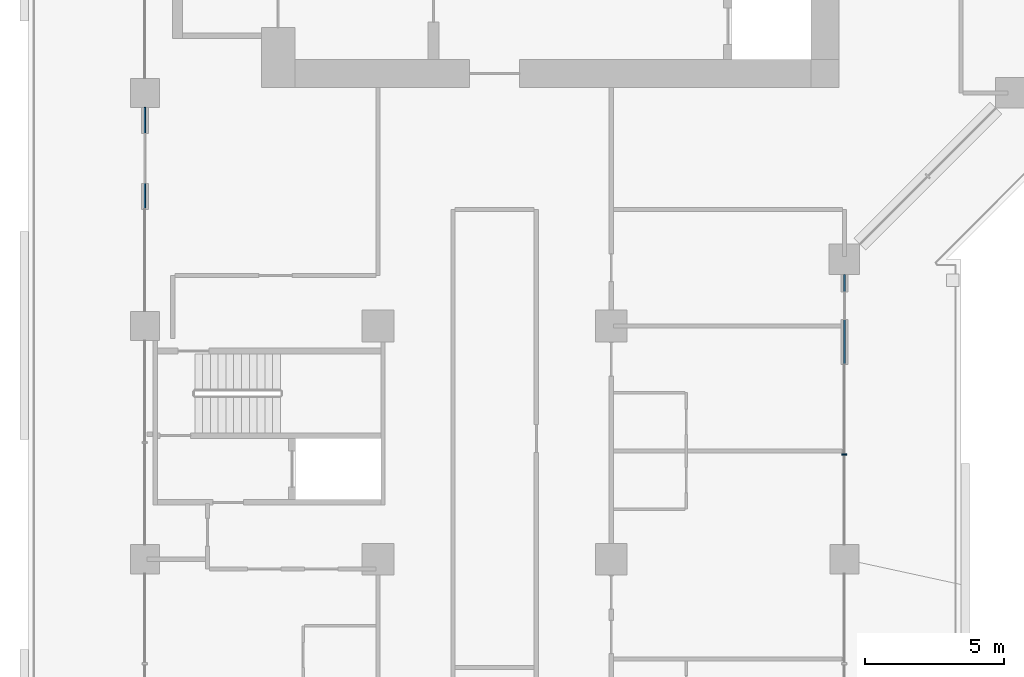
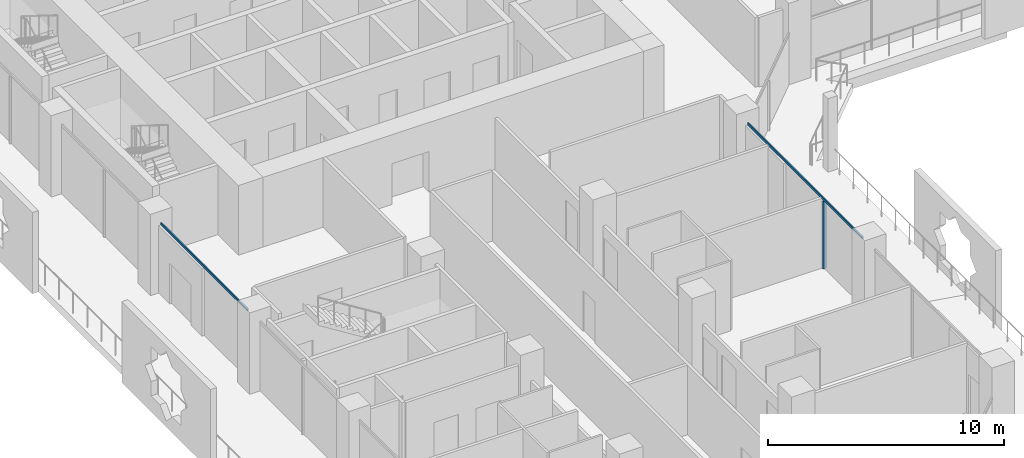
# One storey, part 3 of 25: 3 members, 2 elements without a shape of their own.
"""IFC4 building model written with IfcOpenShell, lengths in metres."""

from ifc_helpers import new_model, si_unit, direction, frame, origin, origin_2d, place, context, subcontext, project, spatial, rectangle, extrude, material, layer, layer_set, material_profile, profile_set, type_object, element, aggregate, save


model = new_model("IFC4")

# Units and contexts
model_context = context("Model", 3, precision=1e-05, world=origin(), true_north=direction((0.0, 1.0)))
body_context = subcontext(model_context, "Body", "Model", "MODEL_VIEW")
ifc_project = project(units=[si_unit("LENGTHUNIT", "METRE"), si_unit("AREAUNIT", "SQUARE_METRE"), si_unit("VOLUMEUNIT", "CUBIC_METRE"), si_unit("PLANEANGLEUNIT", "RADIAN"), si_unit("MASSUNIT", "GRAM", prefix="KILO")], contexts=[model_context])

# Site, building, storey
site_placement = place(None, origin())
site = spatial("IfcSite", under=ifc_project, at=site_placement, CompositionType="ELEMENT")
building_placement = place(site_placement, origin())
building = spatial("IfcBuilding", under=site, at=building_placement, Name="Kawkab Arch Medical Tower", CompositionType="ELEMENT")
storey_placement = place(building_placement, frame((0.0, 0.0, 111.39990234375)))
storey = spatial("IfcBuildingStorey", under=building, at=storey_placement, Name="L25", CompositionType="ELEMENT", Elevation=111.39990234375)

# Curtain wall, member
ifc_material_1 = material(Name="Bronze anodised aluminium curtain wall frame", Category="aluminium")
ifc_layer = layer(ifc_material_1, 0.159912109375)
ifc_layer_set = layer_set([ifc_layer], Name="Bronze anodised aluminium curtain wall frame")
curtain_wall_type = type_object("IfcCurtainWallType", Name="CW1 ward curtain wall", PredefinedType="NOTDEFINED", material=ifc_layer_set)
placement = place(storey_placement, origin())
curtain_wall_1 = element("IfcCurtainWall", 1, at=placement, inside=storey, type_object=curtain_wall_type, Name="CW1 Ward curtain wall R05", PredefinedType="NOTDEFINED")
ifc_material_2 = material(Name="Bronze anodised aluminium curtain wall frame", Category="aluminium")
ifc_material_profile_1 = material_profile(ifc_material_2, rectangle(XDim=0.179931640625, YDim=0.06005859375, at=origin_2d()), Name="AL 60x180")
ifc_profile_set_1 = profile_set([ifc_material_profile_1], Name="Bronze anodised aluminium curtain wall frame")
member_type_1 = type_object("IfcMemberType", Name="CW1 mullion 60 x 180", PredefinedType="MULLION", material=ifc_profile_set_1)
member_1_placement = place(storey_placement, frame((25.199951171875, -38.2333984375, 0.0), z_axis=(0.0, 0.0, 1.0), x_axis=(-1.0, 0.0, 0.0)))
member_1 = element("IfcMember", 2, at=member_1_placement, type_object=member_type_1, Name="CW1 mullion 2.1", PredefinedType="MULLION", context=body_context, shape_type="SweptSolid", body=[
    extrude(rectangle(XDim=0.179931640625, YDim=0.06005859375, at=origin_2d()), origin(), (0.0, 0.0, 1.0), 3.47998046875),
])

curtain_wall_2 = element("IfcCurtainWall", 3, at=placement, inside=storey, type_object=curtain_wall_type, Name="CW1 Ward curtain wall R01", PredefinedType="NOTDEFINED")
ifc_material_3 = material(Name="Bronze anodised aluminium curtain wall frame", Category="aluminium")
ifc_material_profile_2 = material_profile(ifc_material_3, rectangle(XDim=0.06005859375, YDim=0.1201171875, at=origin_2d()), Name="AL 60x120")
ifc_profile_set_2 = profile_set([ifc_material_profile_2], Name="Bronze anodised aluminium curtain wall frame")
member_type_2 = type_object("IfcMemberType", Name="CW1 transom 120 x 60", PredefinedType="USERDEFINED", material=ifc_profile_set_2)
member_2_placement = place(storey_placement, frame((0.0, -25.72509765625, 3.5400390625), z_axis=(0.0, -1.0, 0.0), x_axis=(1.0, 0.0, 0.0)))
member_2 = element("IfcMember", 4, at=member_2_placement, type_object=member_type_2, Name="CW1 transom 4", ObjectType="TRANSOM", PredefinedType="USERDEFINED", context=body_context, shape_type="SweptSolid", body=[
    extrude(rectangle(XDim=0.06005859375, YDim=0.1201171875, at=origin_2d()), origin(), (0.0, 0.0, 1.0), 7.349853515625),
])
aggregate(curtain_wall_2, [member_2])

# Member
member_3_placement = place(storey_placement, frame((25.199951171875, -41.47509765625, 3.5400390625), z_axis=(0.0, 1.0, 0.0), x_axis=(-1.0, 0.0, 0.0)))
member_3 = element("IfcMember", 5, at=member_3_placement, type_object=member_type_2, Name="CW1 transom 2", ObjectType="TRANSOM", PredefinedType="USERDEFINED", context=body_context, shape_type="SweptSolid", body=[
    extrude(rectangle(XDim=0.06005859375, YDim=0.1201171875, at=origin_2d()), origin(), (0.0, 0.0, 1.0), 9.72509765625),
])

aggregate(curtain_wall_1, [member_3, member_1])

save(model, "model.ifc")
